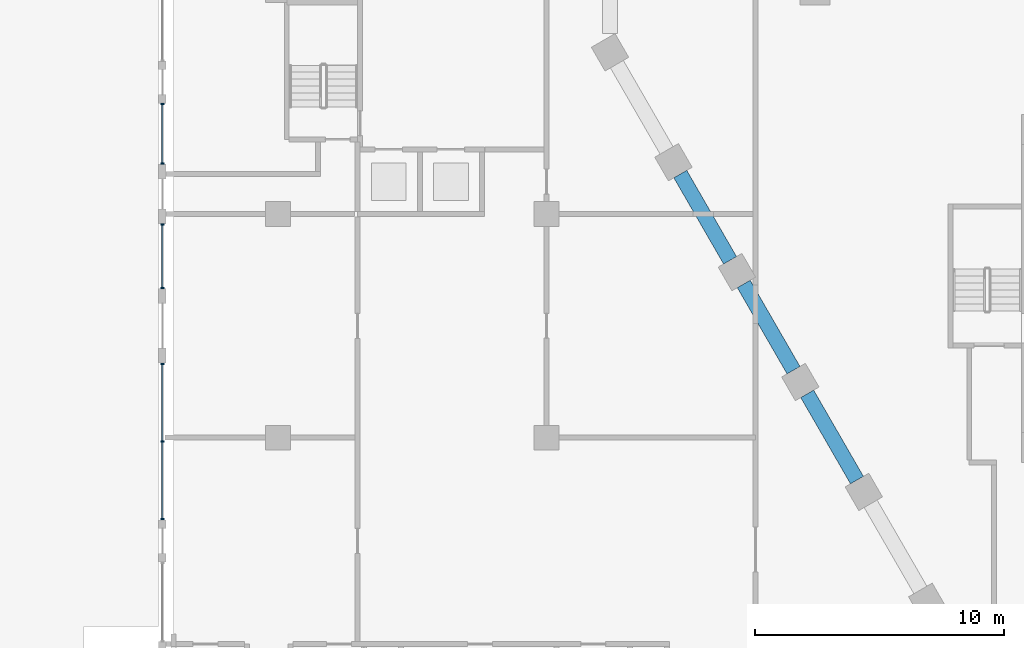
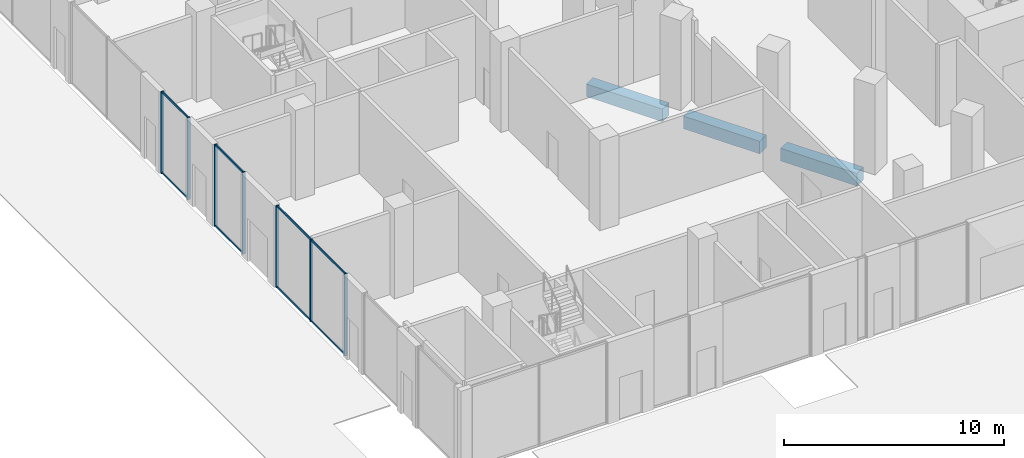
# One storey, part 5 of 57: 15 members, 3 beams, 3 elements without a shape of their own.
"""IFC4 building model written with IfcOpenShell, lengths in metres."""

from ifc_helpers import new_model, si_unit, direction, frame, origin, origin_2d, place, context, subcontext, project, spatial, rectangle, hollow_rectangle, extrude, material, material_profile, profile_set, type_object, element, aggregate, save


model = new_model("IFC4")

# Units and contexts
model_context = context("Model", 3, precision=1e-05, world=origin(), true_north=direction((0.0, 1.0)))
body_context = subcontext(model_context, "Body", "Model", "MODEL_VIEW")
ifc_project = project(units=[si_unit("LENGTHUNIT", "METRE"), si_unit("AREAUNIT", "SQUARE_METRE"), si_unit("VOLUMEUNIT", "CUBIC_METRE"), si_unit("PLANEANGLEUNIT", "RADIAN"), si_unit("MASSUNIT", "GRAM", prefix="KILO")], contexts=[model_context])

# Site, building, storey
site_placement = place(None, origin())
site = spatial("IfcSite", under=ifc_project, at=site_placement, CompositionType="ELEMENT")
building_placement = place(site_placement, origin())
building = spatial("IfcBuilding", under=site, at=building_placement, Name="Beryl Residences", CompositionType="ELEMENT")
storey_placement = place(building_placement, origin())
storey = spatial("IfcBuildingStorey", under=building, at=storey_placement, Name="L00", CompositionType="ELEMENT", Elevation=0.0)

# Curtain wall, members
ifc_material_1 = material(Name="Aluminium and clear glass", Category="aluminium")
curtain_wall_type = type_object("IfcCurtainWallType", Name="CW1 shopfront glazed wall", PredefinedType="NOTDEFINED", material=ifc_material_1)
curtain_wall_1_placement = place(storey_placement, origin())
curtain_wall_1 = element("IfcCurtainWall", 1, at=curtain_wall_1_placement, inside=storey, type_object=curtain_wall_type, Name="CW1 L00 W", PredefinedType="NOTDEFINED")
ifc_material_2 = material(Name="Aluminium", Category="aluminium")
ifc_material_profile_1 = material_profile(ifc_material_2, rectangle(XDim=0.06005859375, YDim=0.14990234375, at=origin_2d()))
ifc_profile_set_1 = profile_set([ifc_material_profile_1], Name="Aluminium")
member_type_1 = type_object("IfcMemberType", Name="CW1-M mullion 60 x 150 mm", PredefinedType="MULLION", material=ifc_profile_set_1)
member_1_placement = place(storey_placement, frame((-47.85009765625, -4.580078125, 0.0), z_axis=(0.0, 0.0, 1.0), x_axis=(0.0, -1.0, 0.0)))
member_1 = element("IfcMember", 2, at=member_1_placement, type_object=member_type_1, Name="CW1 mullion 1", PredefinedType="MULLION", context=body_context, shape_type="SweptSolid", body=[
    extrude(rectangle(XDim=0.06005859375, YDim=0.14990234375, at=origin_2d()), origin(), (0.0, 0.0, 1.0), 4.550048828125),
])
member_2_placement = place(storey_placement, frame((-47.85009765625, -6.969970703125, 0.0), z_axis=(0.0, 0.0, 1.0), x_axis=(0.0, -1.0, 0.0)))
member_2 = element("IfcMember", 3, at=member_2_placement, type_object=member_type_1, Name="CW1 mullion 2", PredefinedType="MULLION", context=body_context, shape_type="SweptSolid", body=[
    extrude(rectangle(XDim=0.06005859375, YDim=0.14990234375, at=origin_2d()), origin(), (0.0, 0.0, 1.0), 4.550048828125),
])

curtain_wall_2_placement = place(storey_placement, origin())
curtain_wall_2 = element("IfcCurtainWall", 4, at=curtain_wall_2_placement, inside=storey, type_object=curtain_wall_type, Name="CW1 L00 W", PredefinedType="NOTDEFINED")
member_3_placement = place(storey_placement, frame((-47.85009765625, -9.429931640625, 0.0), z_axis=(0.0, 0.0, 1.0), x_axis=(0.0, -1.0, 0.0)))
member_3 = element("IfcMember", 5, at=member_3_placement, type_object=member_type_1, Name="CW1 mullion 1", PredefinedType="MULLION", context=body_context, shape_type="SweptSolid", body=[
    extrude(rectangle(XDim=0.06005859375, YDim=0.14990234375, at=origin_2d()), origin(), (0.0, 0.0, 1.0), 4.550048828125),
])
member_4_placement = place(storey_placement, frame((-47.85009765625, -11.969970703125, 0.0), z_axis=(0.0, 0.0, 1.0), x_axis=(0.0, -1.0, 0.0)))
member_4 = element("IfcMember", 6, at=member_4_placement, type_object=member_type_1, Name="CW1 mullion 2", PredefinedType="MULLION", context=body_context, shape_type="SweptSolid", body=[
    extrude(rectangle(XDim=0.06005859375, YDim=0.14990234375, at=origin_2d()), origin(), (0.0, 0.0, 1.0), 4.550048828125),
])

curtain_wall_3_placement = place(storey_placement, origin())
curtain_wall_3 = element("IfcCurtainWall", 7, at=curtain_wall_3_placement, inside=storey, type_object=curtain_wall_type, Name="CW1 L00 W", PredefinedType="NOTDEFINED")
member_5_placement = place(storey_placement, frame((-47.85009765625, -15.030029296875, 0.0), z_axis=(0.0, 0.0, 1.0), x_axis=(0.0, -1.0, 0.0)))
member_5 = element("IfcMember", 8, at=member_5_placement, type_object=member_type_1, Name="CW1 mullion 1", PredefinedType="MULLION", context=body_context, shape_type="SweptSolid", body=[
    extrude(rectangle(XDim=0.06005859375, YDim=0.14990234375, at=origin_2d()), origin(), (0.0, 0.0, 1.0), 4.550048828125),
])
member_6_placement = place(storey_placement, frame((-47.85009765625, -18.14990234375, 0.0), z_axis=(0.0, 0.0, 1.0), x_axis=(0.0, -1.0, 0.0)))
member_6 = element("IfcMember", 9, at=member_6_placement, type_object=member_type_1, Name="CW1 mullion 2", PredefinedType="MULLION", context=body_context, shape_type="SweptSolid", body=[
    extrude(rectangle(XDim=0.06005859375, YDim=0.14990234375, at=origin_2d()), origin(), (0.0, 0.0, 1.0), 4.550048828125),
])
member_7_placement = place(storey_placement, frame((-47.85009765625, -21.27001953125, 0.0), z_axis=(0.0, 0.0, 1.0), x_axis=(0.0, -1.0, 0.0)))
member_7 = element("IfcMember", 10, at=member_7_placement, type_object=member_type_1, Name="CW1 mullion 3", PredefinedType="MULLION", context=body_context, shape_type="SweptSolid", body=[
    extrude(rectangle(XDim=0.06005859375, YDim=0.14990234375, at=origin_2d()), origin(), (0.0, 0.0, 1.0), 4.550048828125),
])

# Member
ifc_material_3 = material(Name="Aluminium", Category="aluminium")
ifc_material_profile_2 = material_profile(ifc_material_3, hollow_rectangle(XDim=0.06005859375, YDim=0.10009765625, WallThickness=0.00390625, at=origin_2d()))
ifc_profile_set_2 = profile_set([ifc_material_profile_2], Name="Aluminium")
member_type_2 = type_object("IfcMemberType", Name="CW1-T transom 60 x 100 mm", PredefinedType="USERDEFINED", material=ifc_profile_set_2)
member_8_placement = place(storey_placement, frame((-47.85009765625, -4.610107421875, 0.030029296875), z_axis=(0.0, -1.0, 0.0), x_axis=(1.0, 0.0, 0.0)))
member_8 = element("IfcMember", 11, at=member_8_placement, type_object=member_type_2, Name="CW1 transom 1.1", ObjectType="TRANSOM", PredefinedType="USERDEFINED", context=body_context, shape_type="SweptSolid", body=[
    extrude(hollow_rectangle(XDim=0.06005859375, YDim=0.10009765625, WallThickness=0.00390625, at=origin_2d()), origin(), (0.0, 0.0, 1.0), 2.329833984375),
])

member_9_placement = place(storey_placement, frame((-47.85009765625, -4.610107421875, 4.52001953125), z_axis=(0.0, -1.0, 0.0), x_axis=(1.0, 0.0, 0.0)))
member_9 = element("IfcMember", 12, at=member_9_placement, type_object=member_type_2, Name="CW1 transom 1.2", ObjectType="TRANSOM", PredefinedType="USERDEFINED", context=body_context, shape_type="SweptSolid", body=[
    extrude(hollow_rectangle(XDim=0.06005859375, YDim=0.10009765625, WallThickness=0.00390625, at=origin_2d()), origin(), (0.0, 0.0, 1.0), 2.329833984375),
])

aggregate(curtain_wall_1, [member_1, member_2, member_8, member_9])

member_10_placement = place(storey_placement, frame((-47.85009765625, -9.4599609375, 0.030029296875), z_axis=(0.0, -1.0, 0.0), x_axis=(1.0, 0.0, 0.0)))
member_10 = element("IfcMember", 13, at=member_10_placement, type_object=member_type_2, Name="CW1 transom 1.1", ObjectType="TRANSOM", PredefinedType="USERDEFINED", context=body_context, shape_type="SweptSolid", body=[
    extrude(hollow_rectangle(XDim=0.06005859375, YDim=0.10009765625, WallThickness=0.00390625, at=origin_2d()), origin(), (0.0, 0.0, 1.0), 2.47998046875),
])

member_11_placement = place(storey_placement, frame((-47.85009765625, -9.4599609375, 4.52001953125), z_axis=(0.0, -1.0, 0.0), x_axis=(1.0, 0.0, 0.0)))
member_11 = element("IfcMember", 14, at=member_11_placement, type_object=member_type_2, Name="CW1 transom 1.2", ObjectType="TRANSOM", PredefinedType="USERDEFINED", context=body_context, shape_type="SweptSolid", body=[
    extrude(hollow_rectangle(XDim=0.06005859375, YDim=0.10009765625, WallThickness=0.00390625, at=origin_2d()), origin(), (0.0, 0.0, 1.0), 2.47998046875),
])

aggregate(curtain_wall_2, [member_3, member_4, member_10, member_11])

member_12_placement = place(storey_placement, frame((-47.85009765625, -15.06005859375, 0.030029296875), z_axis=(0.0, -1.0, 0.0), x_axis=(1.0, 0.0, 0.0)))
member_12 = element("IfcMember", 15, at=member_12_placement, type_object=member_type_2, Name="CW1 transom 1.1", ObjectType="TRANSOM", PredefinedType="USERDEFINED", context=body_context, shape_type="SweptSolid", body=[
    extrude(hollow_rectangle(XDim=0.06005859375, YDim=0.10009765625, WallThickness=0.00390625, at=origin_2d()), origin(), (0.0, 0.0, 1.0), 3.06005859375),
])

member_13_placement = place(storey_placement, frame((-47.85009765625, -15.06005859375, 4.52001953125), z_axis=(0.0, -1.0, 0.0), x_axis=(1.0, 0.0, 0.0)))
member_13 = element("IfcMember", 16, at=member_13_placement, type_object=member_type_2, Name="CW1 transom 1.2", ObjectType="TRANSOM", PredefinedType="USERDEFINED", context=body_context, shape_type="SweptSolid", body=[
    extrude(hollow_rectangle(XDim=0.06005859375, YDim=0.10009765625, WallThickness=0.00390625, at=origin_2d()), origin(), (0.0, 0.0, 1.0), 3.06005859375),
])

member_14_placement = place(storey_placement, frame((-47.85009765625, -18.179931640625, 0.030029296875), z_axis=(0.0, -1.0, 0.0), x_axis=(1.0, 0.0, 0.0)))
member_14 = element("IfcMember", 17, at=member_14_placement, type_object=member_type_2, Name="CW1 transom 2.1", ObjectType="TRANSOM", PredefinedType="USERDEFINED", context=body_context, shape_type="SweptSolid", body=[
    extrude(hollow_rectangle(XDim=0.06005859375, YDim=0.10009765625, WallThickness=0.00390625, at=origin_2d()), origin(), (0.0, 0.0, 1.0), 3.06005859375),
])

member_15_placement = place(storey_placement, frame((-47.85009765625, -18.179931640625, 4.52001953125), z_axis=(0.0, -1.0, 0.0), x_axis=(1.0, 0.0, 0.0)))
member_15 = element("IfcMember", 18, at=member_15_placement, type_object=member_type_2, Name="CW1 transom 2.2", ObjectType="TRANSOM", PredefinedType="USERDEFINED", context=body_context, shape_type="SweptSolid", body=[
    extrude(hollow_rectangle(XDim=0.06005859375, YDim=0.10009765625, WallThickness=0.00390625, at=origin_2d()), origin(), (0.0, 0.0, 1.0), 3.06005859375),
])

aggregate(curtain_wall_3, [member_5, member_6, member_7, member_12, member_13, member_14, member_15])

# Beams
ifc_material_4 = material(Name="Concrete C80/95", Category="concrete")
ifc_material_profile_3 = material_profile(ifc_material_4, rectangle(XDim=0.60009765625, YDim=0.699951171875, at=origin_2d()))
ifc_profile_set_3 = profile_set([ifc_material_profile_3], Name="Concrete C80/95")
beam_type = type_object("IfcBeamType", Name="SB1 spandrel beam 600 x 700 C80/95", PredefinedType="SPANDREL", material=ifc_profile_set_3)
for number, where, z_axis, x_axis, name in (
    (19, (-27.02197265625, -7.39697265625, -0.800048828125), (0.499942357345, -0.866058681229, 0.0), (0.866058681229, 0.499942357345, 0.0), "SB1 L00 SW-1"),
    (20, (-24.469970703125, -11.81689453125, -0.800048828125), (0.499942357345, -0.866058681229, 0.0), (0.866058681229, 0.499942357345, 0.0), "SB1 L00 SW-2"),
    (21, (-21.91796875, -16.237060546875, -0.800048828125), (0.499942357345, -0.866058681229, 0.0), (0.866058681229, 0.499942357345, 0.0), "SB1 L00 SW-3"),
):
    element("IfcBeam", number, at=place(storey_placement, frame(where, z_axis=z_axis, x_axis=x_axis)), inside=storey, type_object=beam_type, Name=name, PredefinedType="SPANDREL", context=body_context, shape_type="SweptSolid", body=[
        extrude(rectangle(XDim=0.60009765625, YDim=0.699951171875, at=origin_2d()), origin(), (0.0, 0.0, 1.0), 4.00439453125),
    ])

save(model, "model.ifc")
